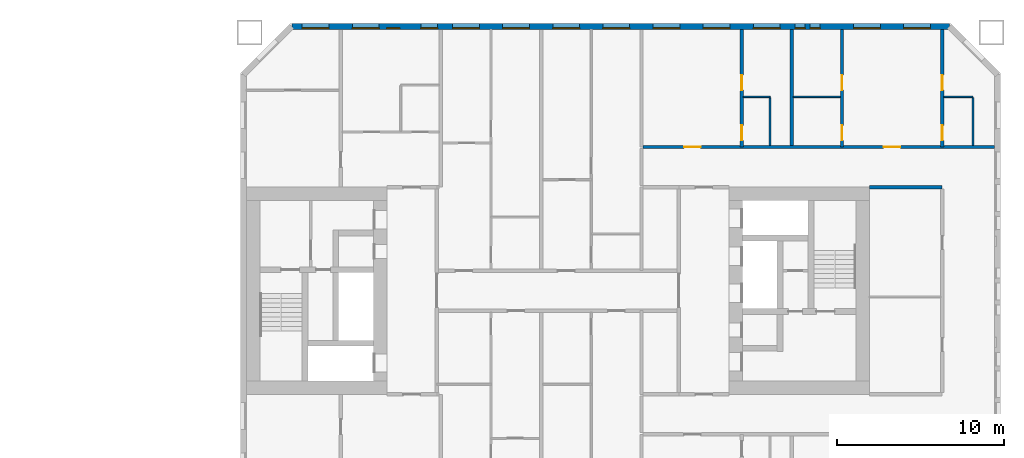
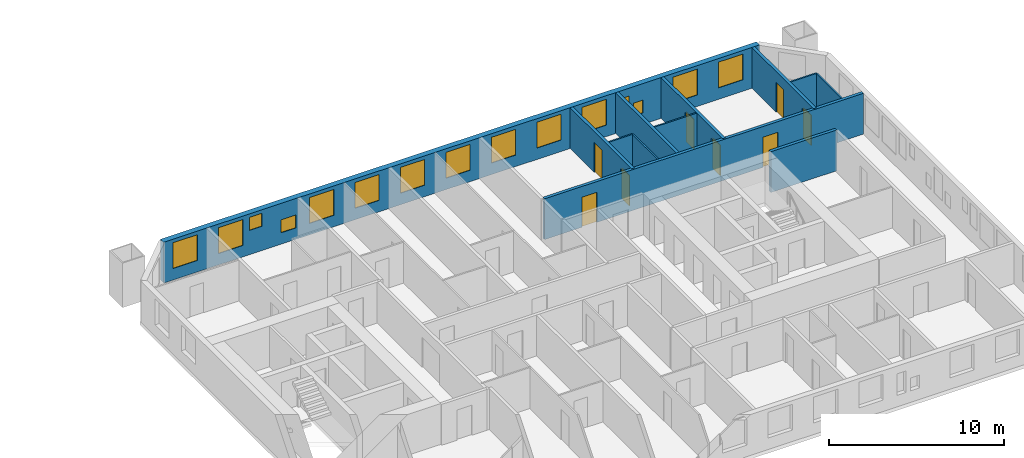
# One storey, part 14 of 17: 15 windows, 12 walls, 8 doors, 23 openings.
"""IFC4 building model written with IfcOpenShell, lengths in metres."""

from ifc_helpers import new_model, si_unit, direction, frame, frame_2d, origin, place, context, subcontext, project, spatial, rectangle, extrude, material, layer, layer_set, type_object, element, fill, save


model = new_model("IFC4")

# Units and contexts
model_context = context("Model", 3, precision=1e-05, world=origin(), true_north=direction((0.0, 1.0)))
body_context = subcontext(model_context, "Body", "Model", "MODEL_VIEW")
ifc_project = project(units=[si_unit("LENGTHUNIT", "METRE"), si_unit("AREAUNIT", "SQUARE_METRE"), si_unit("VOLUMEUNIT", "CUBIC_METRE"), si_unit("PLANEANGLEUNIT", "RADIAN"), si_unit("MASSUNIT", "GRAM", prefix="KILO")], contexts=[model_context])

# Site, building, storey
site_placement = place(None, origin())
site = spatial("IfcSite", under=ifc_project, at=site_placement, CompositionType="ELEMENT")
building_placement = place(site_placement, origin())
building = spatial("IfcBuilding", under=site, at=building_placement, Name="Tuart Gate Housing", CompositionType="ELEMENT")
storey_placement = place(building_placement, frame((0.0, 0.0, 50.5)))
storey = spatial("IfcBuildingStorey", under=building, at=storey_placement, Name="L13", CompositionType="ELEMENT", Elevation=50.5)

# Wall, openings, windows
ifc_material_1 = material(Name="Brick", Category="masonry")
ifc_layer_1 = layer(ifc_material_1, 0.360107421875)
ifc_layer_set_1 = layer_set([ifc_layer_1], Name="Brick pier and spandrel wall 360")
wall_type_1 = type_object("IfcWallType", Name="Brick pier and spandrel wall 360", PredefinedType="STANDARD", material=ifc_layer_set_1)
wall_1_placement = place(storey_placement, frame((173.42529296875, 85.820068359375, 0.0), z_axis=(0.0, 0.0, 1.0), x_axis=(-1.0, 0.0, 0.0)))
wall_1 = element("IfcWall", 1, at=wall_1_placement, inside=storey, type_object=wall_type_1, Name="External wall B-N L13", PredefinedType="STANDARD", context=body_context, shape_type="SweptSolid", body=[
    extrude(rectangle(XDim=39.350830078125, YDim=0.360107421875, at=frame_2d((19.67529296875, 0.0))), origin(), (0.0, 0.0, 1.0), 2.85009765625),
])
opening_1_placement = place(wall_1_placement, frame((1.12548828125, 0.0, 0.800048828125)))
opening_1 = element("IfcOpeningElement", 2, at=opening_1_placement, cuts=wall_1, Name="Opening W1", PredefinedType="OPENING", context=body_context, shape_type="SweptSolid", body=[
    extrude(rectangle(XDim=1.60009765625, YDim=1.800048828125, at=frame_2d((0.800048828125, 0.89990234375))), frame((0.0, 0.18994140625, 0.0), z_axis=(0.0, -1.0, 0.0), x_axis=(1.0, 0.0, 0.0)), (0.0, 0.0, 1.0), 0.380126953125),
])
opening_2_placement = place(wall_1_placement, frame((4.12548828125, 0.0, 0.800048828125)))
opening_2 = element("IfcOpeningElement", 3, at=opening_2_placement, cuts=wall_1, Name="Opening W1", PredefinedType="OPENING", context=body_context, shape_type="SweptSolid", body=[
    extrude(rectangle(XDim=1.60009765625, YDim=1.800048828125, at=frame_2d((0.800048828125, 0.89990234375))), frame((0.0, 0.18994140625, 0.0), z_axis=(0.0, -1.0, 0.0), x_axis=(1.0, 0.0, 0.0)), (0.0, 0.0, 1.0), 0.380126953125),
])
opening_3_placement = place(wall_1_placement, frame((7.725341796875, 0.0, 0.800048828125)))
opening_3 = element("IfcOpeningElement", 4, at=opening_3_placement, cuts=wall_1, Name="Opening W1W", PredefinedType="OPENING", context=body_context, shape_type="SweptSolid", body=[
    extrude(rectangle(XDim=0.60009765625, YDim=0.89990234375, at=frame_2d((0.300048828125, 0.449951171875))), frame((0.0, 0.18994140625, 0.0), z_axis=(0.0, -1.0, 0.0), x_axis=(1.0, 0.0, 0.0)), (0.0, 0.0, 1.0), 0.380126953125),
])
opening_4_placement = place(wall_1_placement, frame((10.12548828125, 0.0, 0.800048828125)))
opening_4 = element("IfcOpeningElement", 5, at=opening_4_placement, cuts=wall_1, Name="Opening W1", PredefinedType="OPENING", context=body_context, shape_type="SweptSolid", body=[
    extrude(rectangle(XDim=1.60009765625, YDim=1.800048828125, at=frame_2d((0.800048828125, 0.89990234375))), frame((0.0, 0.18994140625, 0.0), z_axis=(0.0, -1.0, 0.0), x_axis=(1.0, 0.0, 0.0)), (0.0, 0.0, 1.0), 0.380126953125),
])
opening_5_placement = place(wall_1_placement, frame((13.12548828125, 0.0, 0.800048828125)))
opening_5 = element("IfcOpeningElement", 6, at=opening_5_placement, cuts=wall_1, Name="Opening W1", PredefinedType="OPENING", context=body_context, shape_type="SweptSolid", body=[
    extrude(rectangle(XDim=1.60009765625, YDim=1.800048828125, at=frame_2d((0.800048828125, 0.89990234375))), frame((0.0, 0.18994140625, 0.0), z_axis=(0.0, -1.0, 0.0), x_axis=(1.0, 0.0, 0.0)), (0.0, 0.0, 1.0), 0.380126953125),
])
opening_6_placement = place(wall_1_placement, frame((16.12548828125, 0.0, 0.800048828125)))
opening_6 = element("IfcOpeningElement", 7, at=opening_6_placement, cuts=wall_1, Name="Opening W1", PredefinedType="OPENING", context=body_context, shape_type="SweptSolid", body=[
    extrude(rectangle(XDim=1.60009765625, YDim=1.800048828125, at=frame_2d((0.800048828125, 0.89990234375))), frame((0.0, 0.18994140625, 0.0), z_axis=(0.0, -1.0, 0.0), x_axis=(1.0, 0.0, 0.0)), (0.0, 0.0, 1.0), 0.380126953125),
])
opening_7_placement = place(wall_1_placement, frame((19.12548828125, 0.0, 0.800048828125)))
opening_7 = element("IfcOpeningElement", 8, at=opening_7_placement, cuts=wall_1, Name="Opening W1", PredefinedType="OPENING", context=body_context, shape_type="SweptSolid", body=[
    extrude(rectangle(XDim=1.60009765625, YDim=1.800048828125, at=frame_2d((0.800048828125, 0.89990234375))), frame((0.0, 0.18994140625, 0.0), z_axis=(0.0, -1.0, 0.0), x_axis=(1.0, 0.0, 0.0)), (0.0, 0.0, 1.0), 0.380126953125),
])
opening_8_placement = place(wall_1_placement, frame((22.12548828125, 0.0, 0.800048828125)))
opening_8 = element("IfcOpeningElement", 9, at=opening_8_placement, cuts=wall_1, Name="Opening W1", PredefinedType="OPENING", context=body_context, shape_type="SweptSolid", body=[
    extrude(rectangle(XDim=1.60009765625, YDim=1.800048828125, at=frame_2d((0.800048828125, 0.89990234375))), frame((0.0, 0.18994140625, 0.0), z_axis=(0.0, -1.0, 0.0), x_axis=(1.0, 0.0, 0.0)), (0.0, 0.0, 1.0), 0.380126953125),
])
opening_9_placement = place(wall_1_placement, frame((25.12548828125, 0.0, 0.800048828125)))
opening_9 = element("IfcOpeningElement", 10, at=opening_9_placement, cuts=wall_1, Name="Opening W1", PredefinedType="OPENING", context=body_context, shape_type="SweptSolid", body=[
    extrude(rectangle(XDim=1.60009765625, YDim=1.800048828125, at=frame_2d((0.800048828125, 0.89990234375))), frame((0.0, 0.18994140625, 0.0), z_axis=(0.0, -1.0, 0.0), x_axis=(1.0, 0.0, 0.0)), (0.0, 0.0, 1.0), 0.380126953125),
])
opening_10_placement = place(wall_1_placement, frame((28.12548828125, 0.0, 0.800048828125)))
opening_10 = element("IfcOpeningElement", 11, at=opening_10_placement, cuts=wall_1, Name="Opening W1", PredefinedType="OPENING", context=body_context, shape_type="SweptSolid", body=[
    extrude(rectangle(XDim=1.60009765625, YDim=1.800048828125, at=frame_2d((0.800048828125, 0.89990234375))), frame((0.0, 0.18994140625, 0.0), z_axis=(0.0, -1.0, 0.0), x_axis=(1.0, 0.0, 0.0)), (0.0, 0.0, 1.0), 0.380126953125),
])
opening_11_placement = place(wall_1_placement, frame((30.62548828125, 0.0, 0.800048828125)))
opening_11 = element("IfcOpeningElement", 12, at=opening_11_placement, cuts=wall_1, Name="Opening W1U", PredefinedType="OPENING", context=body_context, shape_type="SweptSolid", body=[
    extrude(rectangle(XDim=1.0, YDim=0.89990234375, at=frame_2d((0.5, 0.449951171875))), frame((0.0, 0.18994140625, 0.0), z_axis=(0.0, -1.0, 0.0), x_axis=(1.0, 0.0, 0.0)), (0.0, 0.0, 1.0), 0.380126953125),
])
opening_12_placement = place(wall_1_placement, frame((34.12548828125, 0.0, 0.800048828125)))
opening_12 = element("IfcOpeningElement", 13, at=opening_12_placement, cuts=wall_1, Name="Opening W1", PredefinedType="OPENING", context=body_context, shape_type="SweptSolid", body=[
    extrude(rectangle(XDim=1.60009765625, YDim=1.800048828125, at=frame_2d((0.800048828125, 0.89990234375))), frame((0.0, 0.18994140625, 0.0), z_axis=(0.0, -1.0, 0.0), x_axis=(1.0, 0.0, 0.0)), (0.0, 0.0, 1.0), 0.380126953125),
])
opening_13_placement = place(wall_1_placement, frame((37.12548828125, 0.0, 0.800048828125)))
opening_13 = element("IfcOpeningElement", 14, at=opening_13_placement, cuts=wall_1, Name="Opening W1", PredefinedType="OPENING", context=body_context, shape_type="SweptSolid", body=[
    extrude(rectangle(XDim=1.60009765625, YDim=1.800048828125, at=frame_2d((0.800048828125, 0.89990234375))), frame((0.0, 0.18994140625, 0.0), z_axis=(0.0, -1.0, 0.0), x_axis=(1.0, 0.0, 0.0)), (0.0, 0.0, 1.0), 0.380126953125),
])
opening_14_placement = place(wall_1_placement, frame((8.62548828125, 0.0, 0.800048828125)))
opening_14 = element("IfcOpeningElement", 15, at=opening_14_placement, cuts=wall_1, Name="Opening W1K", PredefinedType="OPENING", context=body_context, shape_type="SweptSolid", body=[
    extrude(rectangle(XDim=0.60009765625, YDim=1.5, at=frame_2d((0.300048828125, 0.75))), frame((0.0, 0.18994140625, 0.0), z_axis=(0.0, -1.0, 0.0), x_axis=(1.0, 0.0, 0.0)), (0.0, 0.0, 1.0), 0.380126953125),
])
opening_15_placement = place(wall_1_placement, frame((32.87548828125, 0.0, 1.699951171875)))
opening_15 = element("IfcOpeningElement", 16, at=opening_15_placement, cuts=wall_1, Name="Opening W1V", PredefinedType="OPENING", context=body_context, shape_type="SweptSolid", body=[
    extrude(rectangle(XDim=0.800048828125, YDim=0.89990234375, at=frame_2d((0.39990234375, 0.449951171875))), frame((0.0, 0.18994140625, 0.0), z_axis=(0.0, -1.0, 0.0), x_axis=(1.0, 0.0, 0.0)), (0.0, 0.0, 1.0), 0.380126953125),
])
ifc_material_2 = material(Name="Aluminium frame with clear glass", Category="aluminium")
window_type_1 = type_object("IfcWindowType", Name="Punched window 1000 x 900", PartitioningType="SINGLE_PANEL", PredefinedType="WINDOW", material=ifc_material_2)
window_1_placement = place(opening_11_placement, origin())
window_1 = element("IfcWindow", 17, at=window_1_placement, inside=storey, type_object=window_type_1, Name="Window W1U", OverallHeight=0.89990234375, OverallWidth=1.0, PartitioningType="SINGLE_PANEL", PredefinedType="WINDOW", context=body_context, shape_type="SweptSolid", body=[
    extrude(rectangle(XDim=1.0, YDim=0.89990234375, at=frame_2d((0.5, 0.449951171875))), frame((0.0, 0.150146484375, 0.0), z_axis=(0.0, -1.0, 0.0), x_axis=(1.0, 0.0, 0.0)), (0.0, 0.0, 1.0), 0.06005859375),
])
fill(opening_11, window_1)
ifc_material_3 = material(Name="Aluminium frame with clear glass", Category="aluminium")
window_type_2 = type_object("IfcWindowType", Name="Punched window 1600 x 1800", PartitioningType="SINGLE_PANEL", PredefinedType="WINDOW", material=ifc_material_3)
window_2_placement = place(opening_1_placement, origin())
window_2 = element("IfcWindow", 18, at=window_2_placement, inside=storey, type_object=window_type_2, Name="Window W1", OverallHeight=1.800048828125, OverallWidth=1.60009765625, PartitioningType="SINGLE_PANEL", PredefinedType="WINDOW", context=body_context, shape_type="SweptSolid", body=[
    extrude(rectangle(XDim=1.60009765625, YDim=1.800048828125, at=frame_2d((0.800048828125, 0.89990234375))), frame((0.0, 0.150146484375, 0.0), z_axis=(0.0, -1.0, 0.0), x_axis=(1.0, 0.0, 0.0)), (0.0, 0.0, 1.0), 0.06005859375),
])
fill(opening_1, window_2)
window_3_placement = place(opening_2_placement, origin())
window_3 = element("IfcWindow", 19, at=window_3_placement, inside=storey, type_object=window_type_2, Name="Window W1", OverallHeight=1.800048828125, OverallWidth=1.60009765625, PartitioningType="SINGLE_PANEL", PredefinedType="WINDOW", context=body_context, shape_type="SweptSolid", body=[
    extrude(rectangle(XDim=1.60009765625, YDim=1.800048828125, at=frame_2d((0.800048828125, 0.89990234375))), frame((0.0, 0.150146484375, 0.0), z_axis=(0.0, -1.0, 0.0), x_axis=(1.0, 0.0, 0.0)), (0.0, 0.0, 1.0), 0.06005859375),
])
fill(opening_2, window_3)
window_4_placement = place(opening_4_placement, origin())
window_4 = element("IfcWindow", 20, at=window_4_placement, inside=storey, type_object=window_type_2, Name="Window W1", OverallHeight=1.800048828125, OverallWidth=1.60009765625, PartitioningType="SINGLE_PANEL", PredefinedType="WINDOW", context=body_context, shape_type="SweptSolid", body=[
    extrude(rectangle(XDim=1.60009765625, YDim=1.800048828125, at=frame_2d((0.800048828125, 0.89990234375))), frame((0.0, 0.150146484375, 0.0), z_axis=(0.0, -1.0, 0.0), x_axis=(1.0, 0.0, 0.0)), (0.0, 0.0, 1.0), 0.06005859375),
])
fill(opening_4, window_4)
window_5_placement = place(opening_5_placement, origin())
window_5 = element("IfcWindow", 21, at=window_5_placement, inside=storey, type_object=window_type_2, Name="Window W1", OverallHeight=1.800048828125, OverallWidth=1.60009765625, PartitioningType="SINGLE_PANEL", PredefinedType="WINDOW", context=body_context, shape_type="SweptSolid", body=[
    extrude(rectangle(XDim=1.60009765625, YDim=1.800048828125, at=frame_2d((0.800048828125, 0.89990234375))), frame((0.0, 0.150146484375, 0.0), z_axis=(0.0, -1.0, 0.0), x_axis=(1.0, 0.0, 0.0)), (0.0, 0.0, 1.0), 0.06005859375),
])
fill(opening_5, window_5)
window_6_placement = place(opening_6_placement, origin())
window_6 = element("IfcWindow", 22, at=window_6_placement, inside=storey, type_object=window_type_2, Name="Window W1", OverallHeight=1.800048828125, OverallWidth=1.60009765625, PartitioningType="SINGLE_PANEL", PredefinedType="WINDOW", context=body_context, shape_type="SweptSolid", body=[
    extrude(rectangle(XDim=1.60009765625, YDim=1.800048828125, at=frame_2d((0.800048828125, 0.89990234375))), frame((0.0, 0.150146484375, 0.0), z_axis=(0.0, -1.0, 0.0), x_axis=(1.0, 0.0, 0.0)), (0.0, 0.0, 1.0), 0.06005859375),
])
fill(opening_6, window_6)
window_7_placement = place(opening_7_placement, origin())
window_7 = element("IfcWindow", 23, at=window_7_placement, inside=storey, type_object=window_type_2, Name="Window W1", OverallHeight=1.800048828125, OverallWidth=1.60009765625, PartitioningType="SINGLE_PANEL", PredefinedType="WINDOW", context=body_context, shape_type="SweptSolid", body=[
    extrude(rectangle(XDim=1.60009765625, YDim=1.800048828125, at=frame_2d((0.800048828125, 0.89990234375))), frame((0.0, 0.150146484375, 0.0), z_axis=(0.0, -1.0, 0.0), x_axis=(1.0, 0.0, 0.0)), (0.0, 0.0, 1.0), 0.06005859375),
])
fill(opening_7, window_7)
window_8_placement = place(opening_8_placement, origin())
window_8 = element("IfcWindow", 24, at=window_8_placement, inside=storey, type_object=window_type_2, Name="Window W1", OverallHeight=1.800048828125, OverallWidth=1.60009765625, PartitioningType="SINGLE_PANEL", PredefinedType="WINDOW", context=body_context, shape_type="SweptSolid", body=[
    extrude(rectangle(XDim=1.60009765625, YDim=1.800048828125, at=frame_2d((0.800048828125, 0.89990234375))), frame((0.0, 0.150146484375, 0.0), z_axis=(0.0, -1.0, 0.0), x_axis=(1.0, 0.0, 0.0)), (0.0, 0.0, 1.0), 0.06005859375),
])
fill(opening_8, window_8)
window_9_placement = place(opening_9_placement, origin())
window_9 = element("IfcWindow", 25, at=window_9_placement, inside=storey, type_object=window_type_2, Name="Window W1", OverallHeight=1.800048828125, OverallWidth=1.60009765625, PartitioningType="SINGLE_PANEL", PredefinedType="WINDOW", context=body_context, shape_type="SweptSolid", body=[
    extrude(rectangle(XDim=1.60009765625, YDim=1.800048828125, at=frame_2d((0.800048828125, 0.89990234375))), frame((0.0, 0.150146484375, 0.0), z_axis=(0.0, -1.0, 0.0), x_axis=(1.0, 0.0, 0.0)), (0.0, 0.0, 1.0), 0.06005859375),
])
fill(opening_9, window_9)
window_10_placement = place(opening_10_placement, origin())
window_10 = element("IfcWindow", 26, at=window_10_placement, inside=storey, type_object=window_type_2, Name="Window W1", OverallHeight=1.800048828125, OverallWidth=1.60009765625, PartitioningType="SINGLE_PANEL", PredefinedType="WINDOW", context=body_context, shape_type="SweptSolid", body=[
    extrude(rectangle(XDim=1.60009765625, YDim=1.800048828125, at=frame_2d((0.800048828125, 0.89990234375))), frame((0.0, 0.150146484375, 0.0), z_axis=(0.0, -1.0, 0.0), x_axis=(1.0, 0.0, 0.0)), (0.0, 0.0, 1.0), 0.06005859375),
])
fill(opening_10, window_10)
window_11_placement = place(opening_12_placement, origin())
window_11 = element("IfcWindow", 27, at=window_11_placement, inside=storey, type_object=window_type_2, Name="Window W1", OverallHeight=1.800048828125, OverallWidth=1.60009765625, PartitioningType="SINGLE_PANEL", PredefinedType="WINDOW", context=body_context, shape_type="SweptSolid", body=[
    extrude(rectangle(XDim=1.60009765625, YDim=1.800048828125, at=frame_2d((0.800048828125, 0.89990234375))), frame((0.0, 0.150146484375, 0.0), z_axis=(0.0, -1.0, 0.0), x_axis=(1.0, 0.0, 0.0)), (0.0, 0.0, 1.0), 0.06005859375),
])
fill(opening_12, window_11)
window_12_placement = place(opening_13_placement, origin())
window_12 = element("IfcWindow", 28, at=window_12_placement, inside=storey, type_object=window_type_2, Name="Window W1", OverallHeight=1.800048828125, OverallWidth=1.60009765625, PartitioningType="SINGLE_PANEL", PredefinedType="WINDOW", context=body_context, shape_type="SweptSolid", body=[
    extrude(rectangle(XDim=1.60009765625, YDim=1.800048828125, at=frame_2d((0.800048828125, 0.89990234375))), frame((0.0, 0.150146484375, 0.0), z_axis=(0.0, -1.0, 0.0), x_axis=(1.0, 0.0, 0.0)), (0.0, 0.0, 1.0), 0.06005859375),
])
fill(opening_13, window_12)
ifc_material_4 = material(Name="Aluminium frame with clear glass", Category="aluminium")
window_type_3 = type_object("IfcWindowType", Name="Punched window 600 x 1500", PartitioningType="SINGLE_PANEL", PredefinedType="WINDOW", material=ifc_material_4)
window_13_placement = place(opening_14_placement, origin())
window_13 = element("IfcWindow", 29, at=window_13_placement, inside=storey, type_object=window_type_3, Name="Window W1K", OverallHeight=1.5, OverallWidth=0.60009765625, PartitioningType="SINGLE_PANEL", PredefinedType="WINDOW", context=body_context, shape_type="SweptSolid", body=[
    extrude(rectangle(XDim=0.60009765625, YDim=1.5, at=frame_2d((0.300048828125, 0.75))), frame((0.0, 0.150146484375, 0.0), z_axis=(0.0, -1.0, 0.0), x_axis=(1.0, 0.0, 0.0)), (0.0, 0.0, 1.0), 0.06005859375),
])
fill(opening_14, window_13)
ifc_material_5 = material(Name="Aluminium frame with clear glass", Category="aluminium")
window_type_4 = type_object("IfcWindowType", Name="Punched window 600 x 900", PartitioningType="SINGLE_PANEL", PredefinedType="WINDOW", material=ifc_material_5)
window_14_placement = place(opening_3_placement, origin())
window_14 = element("IfcWindow", 30, at=window_14_placement, inside=storey, type_object=window_type_4, Name="Window W1W", OverallHeight=0.89990234375, OverallWidth=0.60009765625, PartitioningType="SINGLE_PANEL", PredefinedType="WINDOW", context=body_context, shape_type="SweptSolid", body=[
    extrude(rectangle(XDim=0.60009765625, YDim=0.89990234375, at=frame_2d((0.300048828125, 0.449951171875))), frame((0.0, 0.150146484375, 0.0), z_axis=(0.0, -1.0, 0.0), x_axis=(1.0, 0.0, 0.0)), (0.0, 0.0, 1.0), 0.06005859375),
])
fill(opening_3, window_14)
ifc_material_6 = material(Name="Aluminium frame with clear glass", Category="aluminium")
window_type_5 = type_object("IfcWindowType", Name="Punched window 800 x 900", PartitioningType="SINGLE_PANEL", PredefinedType="WINDOW", material=ifc_material_6)
window_15_placement = place(opening_15_placement, origin())
window_15 = element("IfcWindow", 31, at=window_15_placement, inside=storey, type_object=window_type_5, Name="Window W1V", OverallHeight=0.89990234375, OverallWidth=0.800048828125, PartitioningType="SINGLE_PANEL", PredefinedType="WINDOW", context=body_context, shape_type="SweptSolid", body=[
    extrude(rectangle(XDim=0.800048828125, YDim=0.89990234375, at=frame_2d((0.39990234375, 0.449951171875))), frame((0.0, 0.150146484375, 0.0), z_axis=(0.0, -1.0, 0.0), x_axis=(1.0, 0.0, 0.0)), (0.0, 0.0, 1.0), 0.06005859375),
])
fill(opening_15, window_15)

# Wall
ifc_material_7 = material(Name="Concrete masonry 15 MPa", Category="masonry")
ifc_layer_2 = layer(ifc_material_7, 0.199951171875)
ifc_layer_set_2 = layer_set([ifc_layer_2], Name="Corridor wall masonry 200")
wall_type_2 = type_object("IfcWallType", Name="Corridor wall masonry 200", PredefinedType="PARTITIONING", material=ifc_layer_set_2)
wall_2_placement = place(storey_placement, frame((168.639892578125, 76.199951171875, 0.0), z_axis=(0.0, 0.0, 1.0), x_axis=(1.0, 0.0, 0.0)))
element("IfcWall", 32, at=wall_2_placement, inside=storey, type_object=wall_type_2, Name="Corridor wall masonry 200", PredefinedType="PARTITIONING", context=body_context, shape_type="SweptSolid", body=[
    extrude(rectangle(XDim=4.360107421875, YDim=0.199951171875, at=frame_2d((2.18017578125, 0.0))), origin(), (0.0, 0.0, 1.0), 2.85009765625),
])

# Wall, openings, doors
wall_3_placement = place(storey_placement, frame((155.10009765625, 78.60009765625, 0.0), z_axis=(0.0, 0.0, 1.0), x_axis=(1.0, 0.0, 0.0)))
wall_3 = element("IfcWall", 33, at=wall_3_placement, inside=storey, type_object=wall_type_2, Name="Corridor wall masonry 200", PredefinedType="PARTITIONING", context=body_context, shape_type="SweptSolid", body=[
    extrude(rectangle(XDim=21.039794921875, YDim=0.199951171875, at=frame_2d((10.52001953125, 0.0))), origin(), (0.0, 0.0, 1.0), 2.85009765625),
])
opening_16_placement = place(wall_3_placement, frame((2.449951171875, 0.0, 0.0)))
opening_16 = element("IfcOpeningElement", 34, at=opening_16_placement, cuts=wall_3, Name="Opening D667", PredefinedType="OPENING", context=body_context, shape_type="SweptSolid", body=[
    extrude(rectangle(XDim=1.0, YDim=2.10009765625, at=frame_2d((0.5, 1.050048828125))), frame((0.0, 0.10986328125, 0.0), z_axis=(0.0, -1.0, 0.0), x_axis=(1.0, 0.0, 0.0)), (0.0, 0.0, 1.0), 0.219970703125),
])
opening_17_placement = place(wall_3_placement, frame((14.39990234375, 0.0, 0.0)))
opening_17 = element("IfcOpeningElement", 35, at=opening_17_placement, cuts=wall_3, Name="Opening D668", PredefinedType="OPENING", context=body_context, shape_type="SweptSolid", body=[
    extrude(rectangle(XDim=1.0, YDim=2.10009765625, at=frame_2d((0.5, 1.050048828125))), frame((0.0, 0.10986328125, 0.0), z_axis=(0.0, -1.0, 0.0), x_axis=(1.0, 0.0, 0.0)), (0.0, 0.0, 1.0), 0.219970703125),
])
ifc_material_8 = material(Name="Timber door leaf in steel frame", Category="steel")
door_type_1 = type_object("IfcDoorType", Name="Flat entrance door 1000", OperationType="SINGLE_SWING_LEFT", PredefinedType="DOOR", material=ifc_material_8)
door_1_placement = place(opening_17_placement, origin())
door_1 = element("IfcDoor", 36, at=door_1_placement, inside=storey, type_object=door_type_1, Name="Flat entrance door", OperationType="SINGLE_SWING_LEFT", OverallHeight=2.10009765625, OverallWidth=1.0, PredefinedType="DOOR", context=body_context, shape_type="SweptSolid", body=[
    extrude(rectangle(XDim=1.0, YDim=2.10009765625, at=frame_2d((0.5, 1.050048828125))), frame((0.0, 0.02490234375, 0.0), z_axis=(0.0, -1.0, 0.0), x_axis=(1.0, 0.0, 0.0)), (0.0, 0.0, 1.0), 0.050048828125),
])
fill(opening_17, door_1)
ifc_material_9 = material(Name="Timber door leaf in steel frame", Category="steel")
door_type_2 = type_object("IfcDoorType", Name="Flat entrance door 1000 RH", OperationType="SINGLE_SWING_RIGHT", PredefinedType="DOOR", material=ifc_material_9)
door_2_placement = place(opening_16_placement, origin())
door_2 = element("IfcDoor", 37, at=door_2_placement, inside=storey, type_object=door_type_2, Name="Flat entrance door", OperationType="SINGLE_SWING_RIGHT", OverallHeight=2.10009765625, OverallWidth=1.0, PredefinedType="DOOR", context=body_context, shape_type="SweptSolid", body=[
    extrude(rectangle(XDim=1.0, YDim=2.10009765625, at=frame_2d((0.5, 1.050048828125))), frame((0.0, 0.02490234375, 0.0), z_axis=(0.0, -1.0, 0.0), x_axis=(1.0, 0.0, 0.0)), (0.0, 0.0, 1.0), 0.050048828125),
])
fill(opening_16, door_2)

# Walls
ifc_material_10 = material(Name="Gypsum board on steel studs", Category="steel")
ifc_layer_3 = layer(ifc_material_10, 0.10009765625)
ifc_layer_set_3 = layer_set([ifc_layer_3], Name="Partition 100")
wall_type_3 = type_object("IfcWallType", Name="Partition 100", PredefinedType="PARTITIONING", material=ifc_layer_set_3)
wall_4_placement = place(storey_placement, frame((161.10009765625, 81.60009765625, 0.0), z_axis=(0.0, 0.0, 1.0), x_axis=(1.0, 0.0, 0.0)))
element("IfcWall", 38, at=wall_4_placement, inside=storey, type_object=wall_type_3, Name="Partition 100", PredefinedType="PARTITIONING", context=body_context, shape_type="SweptSolid", body=[
    extrude(rectangle(XDim=1.599853515625, YDim=0.10009765625, at=frame_2d((0.7998046875, 0.0))), origin(), (0.0, 0.0, 1.0), 2.85009765625),
])
wall_5_placement = place(storey_placement, frame((164.10009765625, 81.60009765625, 0.0), z_axis=(0.0, 0.0, 1.0), x_axis=(1.0, 0.0, 0.0)))
element("IfcWall", 39, at=wall_5_placement, inside=storey, type_object=wall_type_3, Name="Partition 100", PredefinedType="PARTITIONING", context=body_context, shape_type="SweptSolid", body=[
    extrude(rectangle(XDim=2.7998046875, YDim=0.10009765625, at=frame_2d((1.39990234375, 0.0))), origin(), (0.0, 0.0, 1.0), 2.85009765625),
])
wall_6_placement = place(storey_placement, frame((173.10009765625, 81.60009765625, 0.0), z_axis=(0.0, 0.0, 1.0), x_axis=(1.0, 0.0, 0.0)))
element("IfcWall", 40, at=wall_6_placement, inside=storey, type_object=wall_type_3, Name="Partition 100", PredefinedType="PARTITIONING", context=body_context, shape_type="SweptSolid", body=[
    extrude(rectangle(XDim=1.739990234375, YDim=0.10009765625, at=frame_2d((0.8701171875, 0.0))), origin(), (0.0, 0.0, 1.0), 2.85009765625),
])
for number, where, z_axis, x_axis, name in (
    (41, (162.699951171875, 78.699951171875, 0.0), (0.0, 0.0, 1.0), (0.0, 1.0, 0.0), "Partition 100"),
    (42, (174.840087890625, 78.699951171875, 0.0), (0.0, 0.0, 1.0), (0.0, 1.0, 0.0), "Partition 100"),
):
    element("IfcWall", number, at=place(storey_placement, frame(where, z_axis=z_axis, x_axis=x_axis)), inside=storey, type_object=wall_type_3, Name=name, PredefinedType="PARTITIONING", context=body_context, shape_type="SweptSolid", body=[
        extrude(rectangle(XDim=2.85009765625, YDim=0.10009765625, at=frame_2d((1.425048828125, 0.0))), origin(), (0.0, 0.0, 1.0), 2.85009765625),
    ])

# Wall, openings, doors
ifc_material_11 = material(Name="Concrete C40", Category="concrete")
ifc_layer_4 = layer(ifc_material_11, 0.199951171875)
ifc_layer_set_4 = layer_set([ifc_layer_4], Name="Party wall concrete C40 200")
wall_type_4 = type_object("IfcWallType", Name="Party wall concrete C40 200", PredefinedType="SOLIDWALL", material=ifc_layer_set_4)
wall_7_placement = place(storey_placement, frame((161.0, 78.60009765625, 0.0), z_axis=(0.0, 0.0, 1.0), x_axis=(0.0, 1.0, 0.0)))
wall_7 = element("IfcWall", 43, at=wall_7_placement, inside=storey, type_object=wall_type_4, Name="Party wall concrete C40 200", PredefinedType="SOLIDWALL", context=body_context, shape_type="SweptSolid", body=[
    extrude(rectangle(XDim=7.039794921875, YDim=0.199951171875, at=frame_2d((3.52001953125, 0.0))), origin(), (0.0, 0.0, 1.0), 2.85009765625),
])
opening_18_placement = place(wall_7_placement, frame((3.39990234375, 0.0, 0.0)))
opening_18 = element("IfcOpeningElement", 44, at=opening_18_placement, cuts=wall_7, Name="Opening D657", PredefinedType="OPENING", context=body_context, shape_type="SweptSolid", body=[
    extrude(rectangle(XDim=0.89990234375, YDim=2.10009765625, at=frame_2d((0.449951171875, 1.050048828125))), frame((0.0, 0.10986328125, 0.0), z_axis=(0.0, -1.0, 0.0), x_axis=(1.0, 0.0, 0.0)), (0.0, 0.0, 1.0), 0.219970703125),
])
opening_19_placement = place(wall_7_placement, frame((0.39990234375, 0.0, 0.0)))
opening_19 = element("IfcOpeningElement", 45, at=opening_19_placement, cuts=wall_7, Name="Opening D656", PredefinedType="OPENING", context=body_context, shape_type="SweptSolid", body=[
    extrude(rectangle(XDim=0.89990234375, YDim=2.10009765625, at=frame_2d((0.449951171875, 1.050048828125))), frame((0.0, 0.10986328125, 0.0), z_axis=(0.0, -1.0, 0.0), x_axis=(1.0, 0.0, 0.0)), (0.0, 0.0, 1.0), 0.219970703125),
])
ifc_material_12 = material(Name="Timber door leaf in steel frame", Category="steel")
door_type_3 = type_object("IfcDoorType", Name="Bathroom door 900 RH", OperationType="SINGLE_SWING_RIGHT", PredefinedType="DOOR", material=ifc_material_12)
door_3_placement = place(opening_19_placement, frame((0.89990234375, 0.0, 0.0), z_axis=(0.0, 0.0, 1.0), x_axis=(-1.0, 0.0, 0.0)))
door_3 = element("IfcDoor", 46, at=door_3_placement, inside=storey, type_object=door_type_3, Name="Bathroom door", OperationType="SINGLE_SWING_RIGHT", OverallHeight=2.10009765625, OverallWidth=0.89990234375, PredefinedType="DOOR", context=body_context, shape_type="SweptSolid", body=[
    extrude(rectangle(XDim=0.89990234375, YDim=2.10009765625, at=frame_2d((0.449951171875, 1.050048828125))), frame((0.0, 0.025146484375, 0.0), z_axis=(0.0, -1.0, 0.0), x_axis=(1.0, 0.0, 0.0)), (0.0, 0.0, 1.0), 0.050048828125),
])
fill(opening_19, door_3)
ifc_material_13 = material(Name="Timber door leaf in steel frame", Category="steel")
door_type_4 = type_object("IfcDoorType", Name="Internal door 900 RH", OperationType="SINGLE_SWING_RIGHT", PredefinedType="DOOR", material=ifc_material_13)
door_4_placement = place(opening_18_placement, frame((0.89990234375, 0.0, 0.0), z_axis=(0.0, 0.0, 1.0), x_axis=(-1.0, 0.0, 0.0)))
door_4 = element("IfcDoor", 47, at=door_4_placement, inside=storey, type_object=door_type_4, Name="Internal door", OperationType="SINGLE_SWING_RIGHT", OverallHeight=2.10009765625, OverallWidth=0.89990234375, PredefinedType="DOOR", context=body_context, shape_type="SweptSolid", body=[
    extrude(rectangle(XDim=0.89990234375, YDim=2.10009765625, at=frame_2d((0.449951171875, 1.050048828125))), frame((0.0, 0.025146484375, 0.0), z_axis=(0.0, -1.0, 0.0), x_axis=(1.0, 0.0, 0.0)), (0.0, 0.0, 1.0), 0.050048828125),
])
fill(opening_18, door_4)

wall_8_placement = place(storey_placement, frame((167.0, 78.60009765625, 0.0), z_axis=(0.0, 0.0, 1.0), x_axis=(0.0, 1.0, 0.0)))
wall_8 = element("IfcWall", 48, at=wall_8_placement, inside=storey, type_object=wall_type_4, Name="Party wall concrete C40 200", PredefinedType="SOLIDWALL", context=body_context, shape_type="SweptSolid", body=[
    extrude(rectangle(XDim=7.039794921875, YDim=0.199951171875, at=frame_2d((3.52001953125, 0.0))), origin(), (0.0, 0.0, 1.0), 2.85009765625),
])
opening_20_placement = place(wall_8_placement, frame((3.39990234375, 0.0, 0.0)))
opening_20 = element("IfcOpeningElement", 49, at=opening_20_placement, cuts=wall_8, Name="Opening D659", PredefinedType="OPENING", context=body_context, shape_type="SweptSolid", body=[
    extrude(rectangle(XDim=0.89990234375, YDim=2.10009765625, at=frame_2d((0.449951171875, 1.050048828125))), frame((0.0, 0.10986328125, 0.0), z_axis=(0.0, -1.0, 0.0), x_axis=(1.0, 0.0, 0.0)), (0.0, 0.0, 1.0), 0.219970703125),
])
opening_21_placement = place(wall_8_placement, frame((0.39990234375, 0.0, 0.0)))
opening_21 = element("IfcOpeningElement", 50, at=opening_21_placement, cuts=wall_8, Name="Opening D658", PredefinedType="OPENING", context=body_context, shape_type="SweptSolid", body=[
    extrude(rectangle(XDim=0.89990234375, YDim=2.10009765625, at=frame_2d((0.449951171875, 1.050048828125))), frame((0.0, 0.10986328125, 0.0), z_axis=(0.0, -1.0, 0.0), x_axis=(1.0, 0.0, 0.0)), (0.0, 0.0, 1.0), 0.219970703125),
])
ifc_material_14 = material(Name="Timber door leaf in steel frame", Category="steel")
door_type_5 = type_object("IfcDoorType", Name="Bathroom door 900", OperationType="SINGLE_SWING_LEFT", PredefinedType="DOOR", material=ifc_material_14)
door_5_placement = place(opening_21_placement, origin())
door_5 = element("IfcDoor", 51, at=door_5_placement, inside=storey, type_object=door_type_5, Name="Bathroom door", OperationType="SINGLE_SWING_LEFT", OverallHeight=2.10009765625, OverallWidth=0.89990234375, PredefinedType="DOOR", context=body_context, shape_type="SweptSolid", body=[
    extrude(rectangle(XDim=0.89990234375, YDim=2.10009765625, at=frame_2d((0.449951171875, 1.050048828125))), frame((0.0, 0.02490234375, 0.0), z_axis=(0.0, -1.0, 0.0), x_axis=(1.0, 0.0, 0.0)), (0.0, 0.0, 1.0), 0.050048828125),
])
fill(opening_21, door_5)
ifc_material_15 = material(Name="Timber door leaf in steel frame", Category="steel")
door_type_6 = type_object("IfcDoorType", Name="Internal door 900", OperationType="SINGLE_SWING_LEFT", PredefinedType="DOOR", material=ifc_material_15)
door_6_placement = place(opening_20_placement, origin())
door_6 = element("IfcDoor", 52, at=door_6_placement, inside=storey, type_object=door_type_6, Name="Internal door", OperationType="SINGLE_SWING_LEFT", OverallHeight=2.10009765625, OverallWidth=0.89990234375, PredefinedType="DOOR", context=body_context, shape_type="SweptSolid", body=[
    extrude(rectangle(XDim=0.89990234375, YDim=2.10009765625, at=frame_2d((0.449951171875, 1.050048828125))), frame((0.0, 0.02490234375, 0.0), z_axis=(0.0, -1.0, 0.0), x_axis=(1.0, 0.0, 0.0)), (0.0, 0.0, 1.0), 0.050048828125),
])
fill(opening_20, door_6)

wall_9_placement = place(storey_placement, frame((173.0, 78.60009765625, 0.0), z_axis=(0.0, 0.0, 1.0), x_axis=(0.0, 1.0, 0.0)))
wall_9 = element("IfcWall", 53, at=wall_9_placement, inside=storey, type_object=wall_type_4, Name="Party wall concrete C40 200", PredefinedType="SOLIDWALL", context=body_context, shape_type="SweptSolid", body=[
    extrude(rectangle(XDim=7.039794921875, YDim=0.199951171875, at=frame_2d((3.52001953125, 0.0))), origin(), (0.0, 0.0, 1.0), 2.85009765625),
])
opening_22_placement = place(wall_9_placement, frame((3.39990234375, 0.0, 0.0)))
opening_22 = element("IfcOpeningElement", 54, at=opening_22_placement, cuts=wall_9, Name="Opening D661", PredefinedType="OPENING", context=body_context, shape_type="SweptSolid", body=[
    extrude(rectangle(XDim=0.89990234375, YDim=2.10009765625, at=frame_2d((0.449951171875, 1.050048828125))), frame((0.0, 0.10986328125, 0.0), z_axis=(0.0, -1.0, 0.0), x_axis=(1.0, 0.0, 0.0)), (0.0, 0.0, 1.0), 0.219970703125),
])
opening_23_placement = place(wall_9_placement, frame((0.39990234375, 0.0, 0.0)))
opening_23 = element("IfcOpeningElement", 55, at=opening_23_placement, cuts=wall_9, Name="Opening D660", PredefinedType="OPENING", context=body_context, shape_type="SweptSolid", body=[
    extrude(rectangle(XDim=0.89990234375, YDim=2.10009765625, at=frame_2d((0.449951171875, 1.050048828125))), frame((0.0, 0.10986328125, 0.0), z_axis=(0.0, -1.0, 0.0), x_axis=(1.0, 0.0, 0.0)), (0.0, 0.0, 1.0), 0.219970703125),
])
door_7_placement = place(opening_23_placement, frame((0.89990234375, 0.0, 0.0), z_axis=(0.0, 0.0, 1.0), x_axis=(-1.0, 0.0, 0.0)))
door_7 = element("IfcDoor", 56, at=door_7_placement, inside=storey, type_object=door_type_3, Name="Bathroom door", OperationType="SINGLE_SWING_RIGHT", OverallHeight=2.10009765625, OverallWidth=0.89990234375, PredefinedType="DOOR", context=body_context, shape_type="SweptSolid", body=[
    extrude(rectangle(XDim=0.89990234375, YDim=2.10009765625, at=frame_2d((0.449951171875, 1.050048828125))), frame((0.0, 0.025146484375, 0.0), z_axis=(0.0, -1.0, 0.0), x_axis=(1.0, 0.0, 0.0)), (0.0, 0.0, 1.0), 0.050048828125),
])
fill(opening_23, door_7)
door_8_placement = place(opening_22_placement, frame((0.89990234375, 0.0, 0.0), z_axis=(0.0, 0.0, 1.0), x_axis=(-1.0, 0.0, 0.0)))
door_8 = element("IfcDoor", 57, at=door_8_placement, inside=storey, type_object=door_type_4, Name="Internal door", OperationType="SINGLE_SWING_RIGHT", OverallHeight=2.10009765625, OverallWidth=0.89990234375, PredefinedType="DOOR", context=body_context, shape_type="SweptSolid", body=[
    extrude(rectangle(XDim=0.89990234375, YDim=2.10009765625, at=frame_2d((0.449951171875, 1.050048828125))), frame((0.0, 0.025146484375, 0.0), z_axis=(0.0, -1.0, 0.0), x_axis=(1.0, 0.0, 0.0)), (0.0, 0.0, 1.0), 0.050048828125),
])
fill(opening_22, door_8)

# Wall
ifc_material_16 = material(Name="Concrete masonry 15 MPa", Category="masonry")
ifc_layer_5 = layer(ifc_material_16, 0.199951171875)
ifc_layer_set_5 = layer_set([ifc_layer_5], Name="Party wall masonry 200")
wall_type_5 = type_object("IfcWallType", Name="Party wall masonry 200", PredefinedType="PARTITIONING", material=ifc_layer_set_5)
wall_10_placement = place(storey_placement, frame((164.0, 78.699951171875, 0.0), z_axis=(0.0, 0.0, 1.0), x_axis=(0.0, 1.0, 0.0)))
element("IfcWall", 58, at=wall_10_placement, inside=storey, type_object=wall_type_5, Name="Party wall masonry 200", PredefinedType="PARTITIONING", context=body_context, shape_type="SweptSolid", body=[
    extrude(rectangle(XDim=6.93994140625, YDim=0.199951171875, at=frame_2d((3.469970703125, 0.0))), origin(), (0.0, 0.0, 1.0), 2.85009765625),
])

save(model, "model.ifc")
